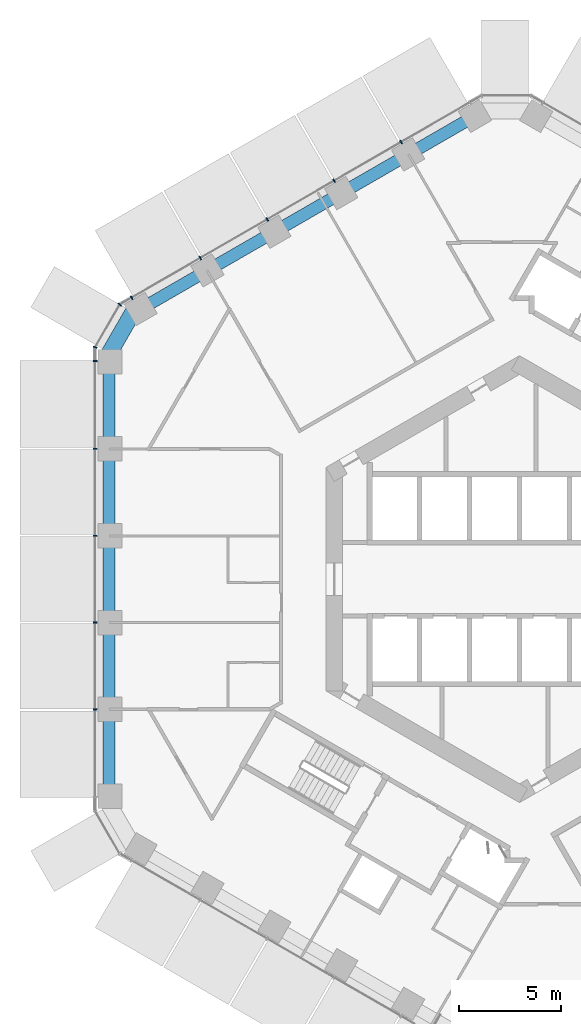
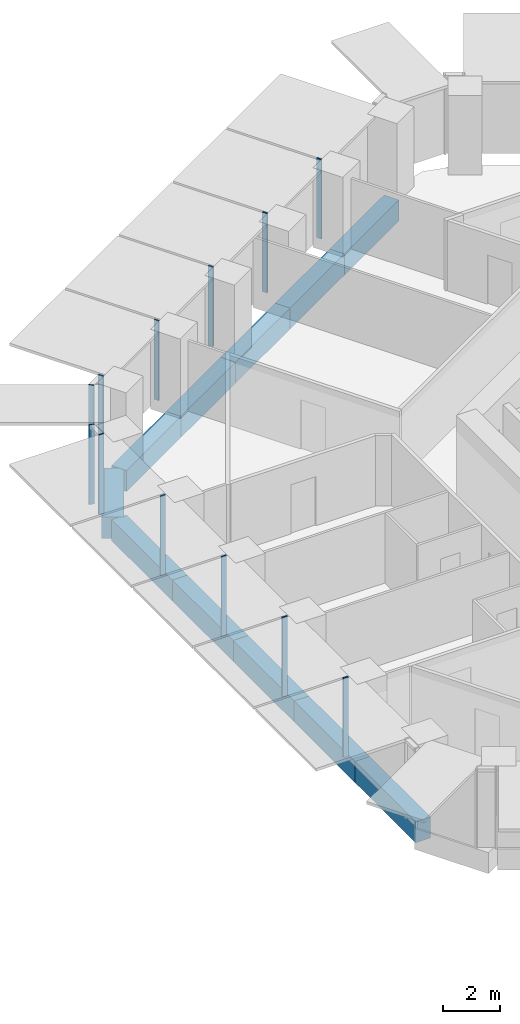
# One storey, part 4 of 22: 12 members, 11 beams, 3 elements without a shape of their own.
"""IFC4 building model written with IfcOpenShell, lengths in metres."""

from ifc_helpers import new_model, si_unit, direction, frame, origin, origin_2d, place, context, subcontext, project, spatial, rectangle, extrude, material, layer, layer_set, material_profile, profile_set, type_object, element, aggregate, save


model = new_model("IFC4")

# Units and contexts
model_context = context("Model", 3, precision=1e-05, world=origin(), true_north=direction((0.0, 1.0)))
body_context = subcontext(model_context, "Body", "Model", "MODEL_VIEW")
ifc_project = project(units=[si_unit("LENGTHUNIT", "METRE"), si_unit("AREAUNIT", "SQUARE_METRE"), si_unit("VOLUMEUNIT", "CUBIC_METRE"), si_unit("PLANEANGLEUNIT", "RADIAN"), si_unit("MASSUNIT", "GRAM", prefix="KILO")], contexts=[model_context])

# Site, building, storey
site_placement = place(None, origin())
site = spatial("IfcSite", under=ifc_project, at=site_placement, CompositionType="ELEMENT")
building_placement = place(site_placement, origin())
building = spatial("IfcBuilding", under=site, at=building_placement, Name="Ayvan Gate Tower", CompositionType="ELEMENT")
storey_placement = place(building_placement, frame((0.0, 0.0, 62.89990234375)))
storey = spatial("IfcBuildingStorey", under=building, at=storey_placement, Name="L16", CompositionType="ELEMENT", Elevation=62.89990234375)

# Beams
ifc_material_1 = material(Name="Concrete C40/50", Category="concrete")
ifc_material_profile_1 = material_profile(ifc_material_1, rectangle(XDim=0.800048828125, YDim=0.89990234375, at=origin_2d()), Name="RC 800x900")
ifc_profile_set_1 = profile_set([ifc_material_profile_1], Name="Concrete C40/50")
beam_type_1 = type_object("IfcBeamType", Name="Corner spandrel beam RC 800x900 C40/50", PredefinedType="BEAM", material=ifc_profile_set_1)
beam_1_placement = place(storey_placement, frame((-18.836181640625, 13.344970703125, -0.7998046875), z_axis=(-0.499990139034, -0.866031096941, 0.0), x_axis=(0.866031096941, -0.499990139034, 0.0)))
element("IfcBeam", 1, at=beam_1_placement, inside=storey, type_object=beam_type_1, Name="SB-L16-18", PredefinedType="BEAM", context=body_context, shape_type="SweptSolid", body=[
    extrude(rectangle(XDim=0.800048828125, YDim=0.89990234375, at=origin_2d()), origin(), (0.0, 0.0, 1.0), 3.0),
])
ifc_material_profile_2 = material_profile(ifc_material_1, rectangle(XDim=0.60009765625, YDim=0.89990234375, at=origin_2d()), Name="RC 600x900")
ifc_profile_set_2 = profile_set([ifc_material_profile_2], Name="Concrete C40/50")
beam_type_2 = type_object("IfcBeamType", Name="Spandrel beam RC 600x900 C40/50", PredefinedType="BEAM", material=ifc_profile_set_2)
beam_2_placement = place(storey_placement, frame((-2.138916015625, 22.76513671875, -0.7998046875), z_axis=(-0.86602347193, -0.500003346055, 0.0), x_axis=(0.500003346055, -0.86602347193, 0.0)))
element("IfcBeam", 2, at=beam_2_placement, inside=storey, type_object=beam_type_2, Name="SB-L16-13", PredefinedType="BEAM", context=body_context, shape_type="SweptSolid", body=[
    extrude(rectangle(XDim=0.60009765625, YDim=0.89990234375, at=origin_2d()), origin(), (0.0, 0.0, 1.0), 3.81201171875),
])
beam_3_placement = place(storey_placement, frame((-5.440185546875, 20.859130859375, -0.7998046875), z_axis=(-0.866039482191, -0.499975614691, 0.0), x_axis=(0.499975614691, -0.866039482191, 0.0)))
element("IfcBeam", 3, at=beam_3_placement, inside=storey, type_object=beam_type_2, Name="SB-L16-14", PredefinedType="BEAM", context=body_context, shape_type="SweptSolid", body=[
    extrude(rectangle(XDim=0.60009765625, YDim=0.89990234375, at=origin_2d()), origin(), (0.0, 0.0, 1.0), 3.812255859375),
])
beam_4_placement = place(storey_placement, frame((-8.74169921875, 18.953125, -0.7998046875), z_axis=(-0.86599573884, -0.500051377671, 0.0), x_axis=(0.500051377671, -0.86599573884, 0.0)))
element("IfcBeam", 4, at=beam_4_placement, inside=storey, type_object=beam_type_2, Name="SB-L16-15", PredefinedType="BEAM", context=body_context, shape_type="SweptSolid", body=[
    extrude(rectangle(XDim=0.60009765625, YDim=0.89990234375, at=origin_2d()), origin(), (0.0, 0.0, 1.0), 3.81201171875),
])
beam_5_placement = place(storey_placement, frame((-12.04296875, 17.046875, -0.7998046875), z_axis=(-0.866039482191, -0.499975614691, 0.0), x_axis=(0.499975614691, -0.866039482191, 0.0)))
element("IfcBeam", 5, at=beam_5_placement, inside=storey, type_object=beam_type_2, Name="SB-L16-16", PredefinedType="BEAM", context=body_context, shape_type="SweptSolid", body=[
    extrude(rectangle(XDim=0.60009765625, YDim=0.89990234375, at=origin_2d()), origin(), (0.0, 0.0, 1.0), 3.812255859375),
])
beam_6_placement = place(storey_placement, frame((-15.344482421875, 15.140869140625, -0.7998046875), z_axis=(-0.86602347193, -0.500003346055, 0.0), x_axis=(0.500003346055, -0.86602347193, 0.0)))
element("IfcBeam", 6, at=beam_6_placement, inside=storey, type_object=beam_type_2, Name="SB-L16-17", PredefinedType="BEAM", context=body_context, shape_type="SweptSolid", body=[
    extrude(rectangle(XDim=0.60009765625, YDim=0.89990234375, at=origin_2d()), origin(), (0.0, 0.0, 1.0), 3.81201171875),
])
for number, where, z_axis, x_axis, name in (
    (7, (-20.145751953125, 10.63671875, -0.7998046875), (0.0, -1.0, 0.0), (1.0, 0.0, 0.0), "SB-L16-19"),
    (8, (-20.145751953125, 6.382080078125, -0.7998046875), (0.0, -1.0, 0.0), (1.0, 0.0, 0.0), "SB-L16-20"),
):
    element("IfcBeam", number, at=place(storey_placement, frame(where, z_axis=z_axis, x_axis=x_axis)), inside=storey, type_object=beam_type_2, Name=name, PredefinedType="BEAM", context=body_context, shape_type="SweptSolid", body=[
        extrude(rectangle(XDim=0.60009765625, YDim=0.89990234375, at=origin_2d()), origin(), (0.0, 0.0, 1.0), 4.254638671875),
    ])
beam_7_placement = place(storey_placement, frame((-20.145751953125, 2.12744140625, -0.7998046875), z_axis=(0.0, -1.0, 0.0), x_axis=(1.0, 0.0, 0.0)))
element("IfcBeam", 9, at=beam_7_placement, inside=storey, type_object=beam_type_2, Name="SB-L16-21", PredefinedType="BEAM", context=body_context, shape_type="SweptSolid", body=[
    extrude(rectangle(XDim=0.60009765625, YDim=0.89990234375, at=origin_2d()), origin(), (0.0, 0.0, 1.0), 4.2548828125),
])
for number, where, z_axis, x_axis, name in (
    (10, (-20.145751953125, -2.12744140625, -0.7998046875), (0.0, -1.0, 0.0), (1.0, 0.0, 0.0), "SB-L16-22"),
    (11, (-20.145751953125, -6.382080078125, -0.7998046875), (0.0, -1.0, 0.0), (1.0, 0.0, 0.0), "SB-L16-23"),
):
    element("IfcBeam", number, at=place(storey_placement, frame(where, z_axis=z_axis, x_axis=x_axis)), inside=storey, type_object=beam_type_2, Name=name, PredefinedType="BEAM", context=body_context, shape_type="SweptSolid", body=[
        extrude(rectangle(XDim=0.60009765625, YDim=0.89990234375, at=origin_2d()), origin(), (0.0, 0.0, 1.0), 4.254638671875),
    ])

# Curtain wall, members
ifc_material_2 = material(Name="Bronze anodised aluminium", Category="aluminium")
ifc_layer_1 = layer(ifc_material_2, 0.199951171875)
ifc_layer_set_1 = layer_set([ifc_layer_1], Name="Bronze anodised aluminium")
curtain_wall_type_1 = type_object("IfcCurtainWallType", Name="Stick curtain wall CW-1", PredefinedType="NOTDEFINED", material=ifc_layer_set_1)
curtain_wall_1_placement = place(storey_placement, origin())
curtain_wall_1 = element("IfcCurtainWall", 12, at=curtain_wall_1_placement, inside=storey, type_object=curtain_wall_type_1, Name="Stick curtain wall CW-1 L16", PredefinedType="NOTDEFINED")
ifc_material_profile_3 = material_profile(ifc_material_2, rectangle(XDim=0.199951171875, YDim=0.06005859375, at=origin_2d()), Name="Stick curtain wall CW-1 mullion 200 x 60")
ifc_profile_set_3 = profile_set([ifc_material_profile_3], Name="Bronze anodised aluminium")
member_type_1 = type_object("IfcMemberType", Name="Stick curtain wall CW-1 mullion 200 x 60", PredefinedType="MULLION", material=ifc_profile_set_3)
member_1_placement = place(storey_placement, frame((-5.816162109375, 21.450439453125, 0.0), z_axis=(0.0, 0.0, 1.0), x_axis=(-0.5, 0.866025403784, 0.0)))
member_1 = element("IfcMember", 13, at=member_1_placement, type_object=member_type_1, Name="CW-1 mullion 2", PredefinedType="MULLION", context=body_context, shape_type="SweptSolid", body=[
    extrude(rectangle(XDim=0.199951171875, YDim=0.06005859375, at=origin_2d()), origin(), (0.0, 0.0, 1.0), 3.400146484375),
])
member_2_placement = place(storey_placement, frame((-9.10009765625, 19.554443359375, 0.0), z_axis=(0.0, 0.0, 1.0), x_axis=(-0.5, 0.866025403784, 0.0)))
member_2 = element("IfcMember", 14, at=member_2_placement, type_object=member_type_1, Name="CW-1 mullion 3", PredefinedType="MULLION", context=body_context, shape_type="SweptSolid", body=[
    extrude(rectangle(XDim=0.199951171875, YDim=0.06005859375, at=origin_2d()), origin(), (0.0, 0.0, 1.0), 3.400146484375),
])
member_3_placement = place(storey_placement, frame((-12.384033203125, 17.658447265625, 0.0), z_axis=(0.0, 0.0, 1.0), x_axis=(-0.5, 0.866025403784, 0.0)))
member_3 = element("IfcMember", 15, at=member_3_placement, type_object=member_type_1, Name="CW-1 mullion 4", PredefinedType="MULLION", context=body_context, shape_type="SweptSolid", body=[
    extrude(rectangle(XDim=0.199951171875, YDim=0.06005859375, at=origin_2d()), origin(), (0.0, 0.0, 1.0), 3.400146484375),
])
member_4_placement = place(storey_placement, frame((-15.66796875, 15.762451171875, 0.0), z_axis=(0.0, 0.0, 1.0), x_axis=(-0.5, 0.866025403784, 0.0)))
member_4 = element("IfcMember", 16, at=member_4_placement, type_object=member_type_1, Name="CW-1 mullion 5", PredefinedType="MULLION", context=body_context, shape_type="SweptSolid", body=[
    extrude(rectangle(XDim=0.199951171875, YDim=0.06005859375, at=origin_2d()), origin(), (0.0, 0.0, 1.0), 3.400146484375),
])
member_5_placement = place(storey_placement, frame((-19.03564453125, 13.818115234375, 0.0), z_axis=(0.0, 0.0, 1.0), x_axis=(-0.5, 0.866025403784, 0.0)))
member_5 = element("IfcMember", 17, at=member_5_placement, type_object=member_type_1, Name="CW-1 mullion 6", PredefinedType="MULLION", context=body_context, shape_type="SweptSolid", body=[
    extrude(rectangle(XDim=0.199951171875, YDim=0.06005859375, at=origin_2d()), origin(), (0.0, 0.0, 1.0), 3.400146484375),
])
aggregate(curtain_wall_1, [member_1, member_2, member_3, member_4, member_5])

curtain_wall_2_placement = place(storey_placement, origin())
curtain_wall_2 = element("IfcCurtainWall", 18, at=curtain_wall_2_placement, inside=storey, type_object=curtain_wall_type_1, Name="Stick curtain wall CW-1 L16", PredefinedType="NOTDEFINED")
member_6_placement = place(storey_placement, frame((-20.831787109375, 10.70703125, 0.0), z_axis=(0.0, 0.0, 1.0), x_axis=(-1.0, 0.0, 0.0)))
member_6 = element("IfcMember", 19, at=member_6_placement, type_object=member_type_1, Name="CW-1 mullion 1", PredefinedType="MULLION", context=body_context, shape_type="SweptSolid", body=[
    extrude(rectangle(XDim=0.199951171875, YDim=0.06005859375, at=origin_2d()), origin(), (0.0, 0.0, 1.0), 3.400146484375),
])
member_7_placement = place(storey_placement, frame((-20.831787109375, 6.39697265625, 0.0), z_axis=(0.0, 0.0, 1.0), x_axis=(-1.0, 0.0, 0.0)))
member_7 = element("IfcMember", 20, at=member_7_placement, type_object=member_type_1, Name="CW-1 mullion 2", PredefinedType="MULLION", context=body_context, shape_type="SweptSolid", body=[
    extrude(rectangle(XDim=0.199951171875, YDim=0.06005859375, at=origin_2d()), origin(), (0.0, 0.0, 1.0), 3.400146484375),
])
member_8_placement = place(storey_placement, frame((-20.831787109375, 2.132080078125, 0.0), z_axis=(0.0, 0.0, 1.0), x_axis=(-1.0, 0.0, 0.0)))
member_8 = element("IfcMember", 21, at=member_8_placement, type_object=member_type_1, Name="CW-1 mullion 3", PredefinedType="MULLION", context=body_context, shape_type="SweptSolid", body=[
    extrude(rectangle(XDim=0.199951171875, YDim=0.06005859375, at=origin_2d()), origin(), (0.0, 0.0, 1.0), 3.400146484375),
])
member_9_placement = place(storey_placement, frame((-20.831787109375, -2.132080078125, 0.0), z_axis=(0.0, 0.0, 1.0), x_axis=(-1.0, 0.0, 0.0)))
member_9 = element("IfcMember", 22, at=member_9_placement, type_object=member_type_1, Name="CW-1 mullion 4", PredefinedType="MULLION", context=body_context, shape_type="SweptSolid", body=[
    extrude(rectangle(XDim=0.199951171875, YDim=0.06005859375, at=origin_2d()), origin(), (0.0, 0.0, 1.0), 3.400146484375),
])
member_10_placement = place(storey_placement, frame((-20.831787109375, -6.39697265625, 0.0), z_axis=(0.0, 0.0, 1.0), x_axis=(-1.0, 0.0, 0.0)))
member_10 = element("IfcMember", 23, at=member_10_placement, type_object=member_type_1, Name="CW-1 mullion 5", PredefinedType="MULLION", context=body_context, shape_type="SweptSolid", body=[
    extrude(rectangle(XDim=0.199951171875, YDim=0.06005859375, at=origin_2d()), origin(), (0.0, 0.0, 1.0), 3.400146484375),
])
aggregate(curtain_wall_2, [member_6, member_7, member_8, member_9, member_10])

ifc_layer_2 = layer(ifc_material_2, 0.199951171875)
ifc_layer_set_2 = layer_set([ifc_layer_2], Name="Bronze anodised aluminium")
curtain_wall_type_2 = type_object("IfcCurtainWallType", Name="Stick curtain wall CW-6", PredefinedType="NOTDEFINED", material=ifc_layer_set_2)
curtain_wall_3_placement = place(storey_placement, origin())
curtain_wall_3 = element("IfcCurtainWall", 24, at=curtain_wall_3_placement, inside=storey, type_object=curtain_wall_type_2, Name="Stick curtain wall CW-6 L16", PredefinedType="NOTDEFINED")
ifc_material_profile_4 = material_profile(ifc_material_2, rectangle(XDim=0.199951171875, YDim=0.050048828125, at=origin_2d()), Name="Stick curtain wall CW-6 mullion 200 x 50")
ifc_profile_set_4 = profile_set([ifc_material_profile_4], Name="Bronze anodised aluminium")
member_type_2 = type_object("IfcMemberType", Name="Stick curtain wall CW-6 mullion 200 x 50", PredefinedType="MULLION", material=ifc_profile_set_4)
member_11_placement = place(storey_placement, frame((-19.62451171875, 13.47802734375, 0.0), z_axis=(0.0, 0.0, 1.0), x_axis=(-0.707106781187, 0.707106781187, 0.0)))
member_11 = element("IfcMember", 25, at=member_11_placement, type_object=member_type_2, Name="CW-6 mullion 2", PredefinedType="MULLION", context=body_context, shape_type="SweptSolid", body=[
    extrude(rectangle(XDim=0.199951171875, YDim=0.050048828125, at=origin_2d()), origin(), (0.0, 0.0, 1.0), 3.400146484375),
])
member_12_placement = place(storey_placement, frame((-20.831787109375, 11.386962890625, 0.0), z_axis=(0.0, 0.0, 1.0), x_axis=(-0.965925826289, 0.258819045103, 0.0)))
member_12 = element("IfcMember", 26, at=member_12_placement, type_object=member_type_2, Name="CW-6 mullion 3", PredefinedType="MULLION", context=body_context, shape_type="SweptSolid", body=[
    extrude(rectangle(XDim=0.199951171875, YDim=0.050048828125, at=origin_2d()), origin(), (0.0, 0.0, 1.0), 3.400146484375),
])
aggregate(curtain_wall_3, [member_11, member_12])

save(model, "model.ifc")
